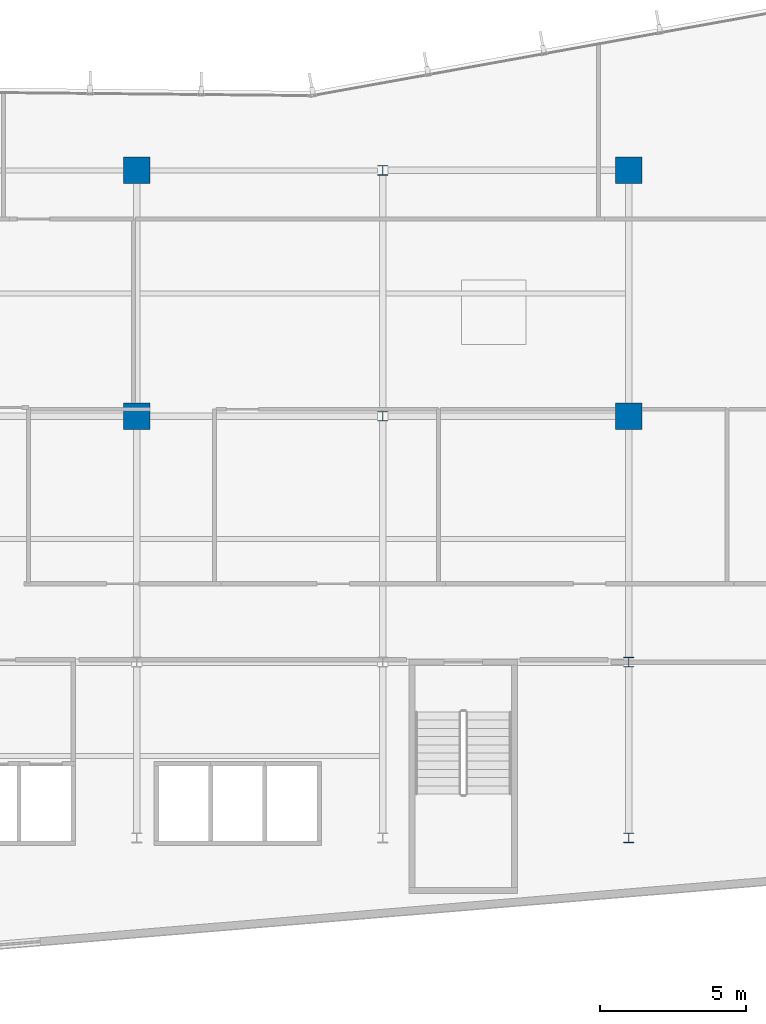
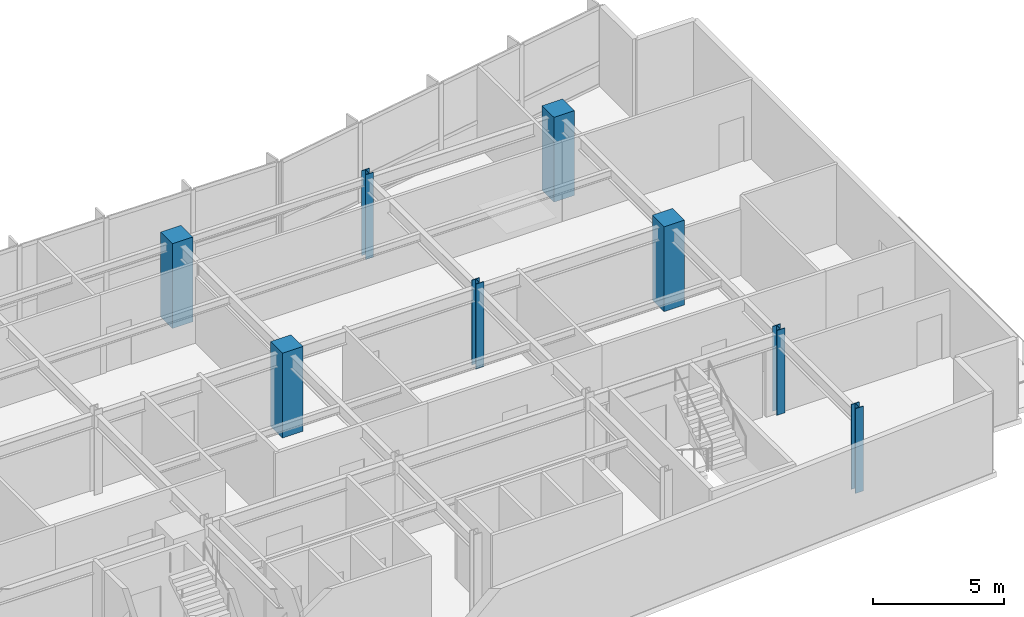
# One storey, part 2 of 18: 8 columns.
"""IFC4 building model written with IfcOpenShell, lengths in metres."""

from ifc_helpers import new_model, si_unit, direction, frame, origin, origin_2d, place, context, subcontext, project, spatial, rectangle, i_section, extrude, material, material_profile, profile_set, type_object, element, save


model = new_model("IFC4")

# Units and contexts
model_context = context("Model", 3, precision=1e-05, world=origin(), true_north=direction((0.0, 1.0)))
body_context = subcontext(model_context, "Body", "Model", "MODEL_VIEW")
ifc_project = project(units=[si_unit("LENGTHUNIT", "METRE"), si_unit("AREAUNIT", "SQUARE_METRE"), si_unit("VOLUMEUNIT", "CUBIC_METRE"), si_unit("PLANEANGLEUNIT", "RADIAN"), si_unit("MASSUNIT", "GRAM", prefix="KILO")], contexts=[model_context])

# Site, building, storey
site_placement = place(None, origin())
site = spatial("IfcSite", under=ifc_project, at=site_placement, CompositionType="ELEMENT")
building_placement = place(site_placement, origin())
building = spatial("IfcBuilding", under=site, at=building_placement, Name="Varnakote Quay Hospital", CompositionType="ELEMENT")
storey_placement = place(building_placement, frame((0.0, 0.0, 30.39990234375)))
storey = spatial("IfcBuildingStorey", under=building, at=storey_placement, Name="L07", CompositionType="ELEMENT", Elevation=30.39990234375)

# Columns
ifc_material_1 = material(Name="Concrete N50 (f'c 50 MPa)", Category="concrete")
ifc_material_profile_1 = material_profile(ifc_material_1, rectangle(XDim=0.89990234375, YDim=0.89990234375, at=origin_2d()), Name="RC-COL-900x900")
ifc_profile_set_1 = profile_set([ifc_material_profile_1], Name="Concrete N50 (f'c 50 MPa)")
column_type_1 = type_object("IfcColumnType", Name="COL-RC-900", PredefinedType="COLUMN", material=ifc_profile_set_1)
for number, where, z_axis, x_axis, name in (
    (1, (33.60009765625, 20.39990234375, 0.0), (0.0, 0.0, 1.0), (1.0, 0.0, 0.0), "L07 Structural Column C-34-20"),
    (2, (50.39990234375, 20.39990234375, 0.0), (0.0, 0.0, 1.0), (1.0, 0.0, 0.0), "L07 Structural Column C-50-20"),
    (3, (33.60009765625, 28.800048828125, 0.0), (0.0, 0.0, 1.0), (1.0, 0.0, 0.0), "L07 Structural Column C-34-29"),
    (4, (50.39990234375, 28.800048828125, 0.0), (0.0, 0.0, 1.0), (1.0, 0.0, 0.0), "L07 Structural Column C-50-29"),
):
    element("IfcColumn", number, at=place(storey_placement, frame(where, z_axis=z_axis, x_axis=x_axis)), inside=storey, type_object=column_type_1, Name=name, PredefinedType="COLUMN", context=body_context, shape_type="SweptSolid", body=[
        extrude(rectangle(XDim=0.89990234375, YDim=0.89990234375, at=origin_2d()), origin(), (0.0, 0.0, 1.0), 3.9501953125),
    ])
ifc_material_2 = material(Name="Structural steel AS/NZS 3678 Grade 350 (fy 340 MPa)", Category="steel")
ifc_material_profile_2 = material_profile(ifc_material_2, i_section(OverallWidth=0.35009765625, OverallDepth=0.340087890625, WebThickness=0.01611328125, FlangeThickness=0.028076171875, at=origin_2d()), Name="350WC197")
ifc_profile_set_2 = profile_set([ifc_material_profile_2], Name="Structural steel AS/NZS 3678 Grade 350 (fy 340 MPa)")
column_type_2 = type_object("IfcColumnType", Name="COL-STL-350WC197", PredefinedType="COLUMN", material=ifc_profile_set_2)
for number, where, z_axis, x_axis, name in (
    (5, (50.39990234375, 6.0, 0.0), (0.0, 0.0, 1.0), (1.0, 0.0, 0.0), "L07 Structural Column C-50-6"),
    (6, (50.39990234375, 12.0, 0.0), (0.0, 0.0, 1.0), (1.0, 0.0, 0.0), "L07 Structural Column C-50-12"),
    (7, (42.0, 20.39990234375, 0.0), (0.0, 0.0, 1.0), (1.0, 0.0, 0.0), "L07 Structural Column C-42-20"),
    (8, (42.0, 28.800048828125, 0.0), (0.0, 0.0, 1.0), (1.0, 0.0, 0.0), "L07 Structural Column C-42-29"),
):
    element("IfcColumn", number, at=place(storey_placement, frame(where, z_axis=z_axis, x_axis=x_axis)), inside=storey, type_object=column_type_2, Name=name, PredefinedType="COLUMN", context=body_context, shape_type="SweptSolid", body=[
        extrude(i_section(OverallWidth=0.35009765625, OverallDepth=0.340087890625, WebThickness=0.01611328125, FlangeThickness=0.028076171875, at=origin_2d()), origin(), (0.0, 0.0, 1.0), 3.9501953125),
    ])

save(model, "model.ifc")
